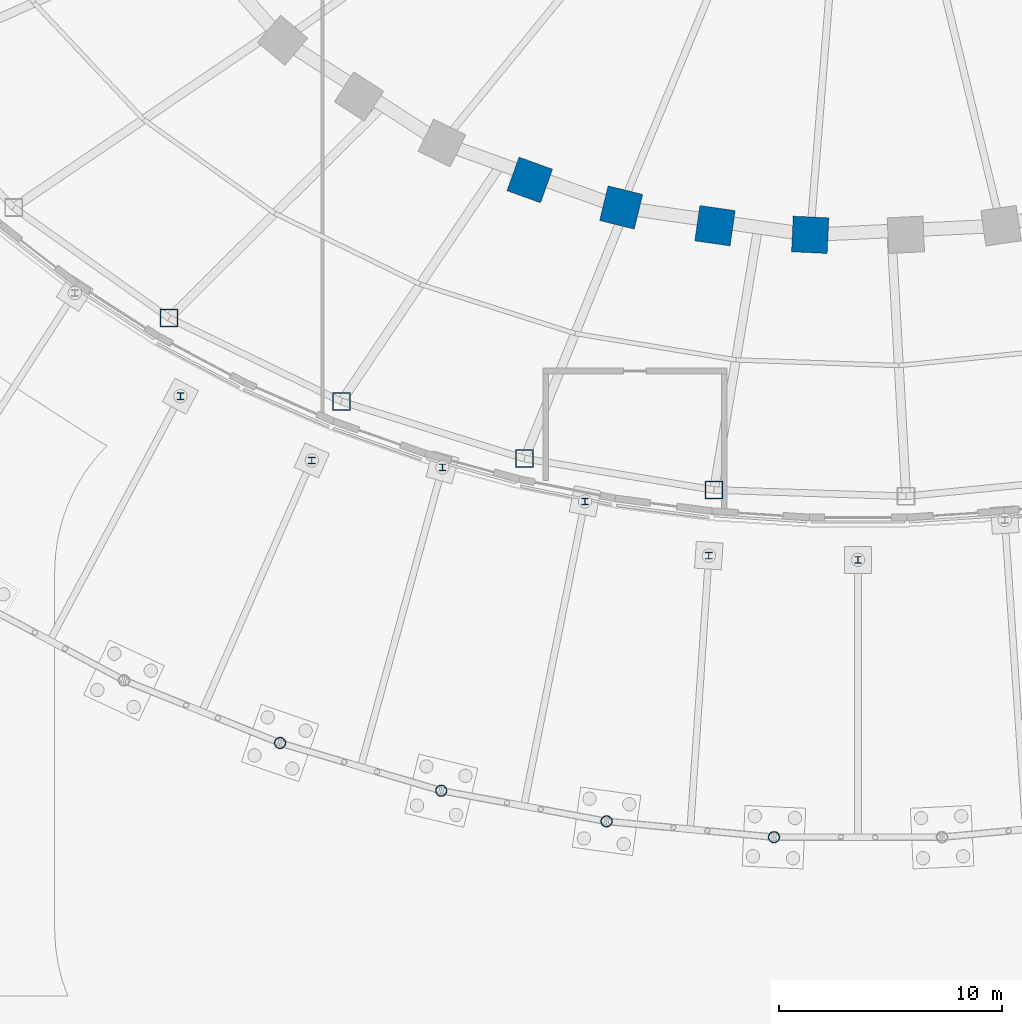
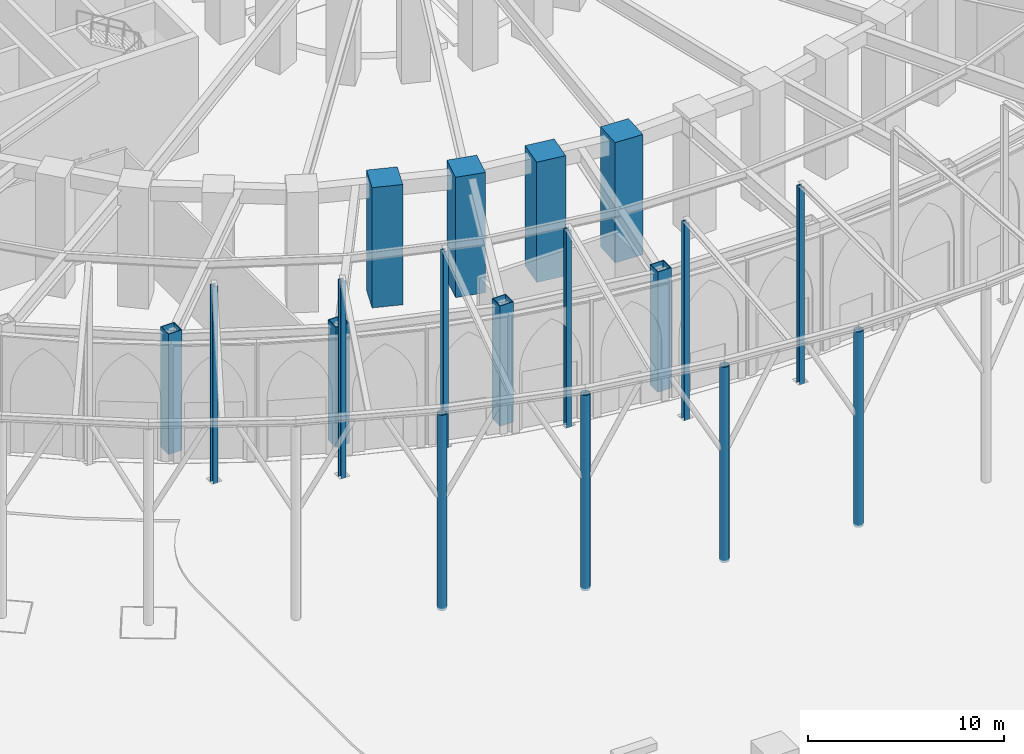
# One storey, part 12 of 79: 18 columns.
"""IFC4 building model written with IfcOpenShell, lengths in metres."""

import ifcopenshell
import ifcopenshell.guid

model = None  # the IFC model being written
_history = None  # IfcOwnerHistory: only IFC2X3 demands one
_inside = {}  # id of a spatial element -> (the spatial element, [elements in it])
_under = {}  # id of a project, library or spatial element -> (it, [spatial elements below it])
_declared = {}  # id of a project -> (the project, [libraries it declares])
_typed = {}  # id of a type object -> (the type object, [elements of that type])
_made_of = {}  # id of a material, layer set ... -> (it, [elements and type objects made of it])


def new_model(schema):
    """Start an empty IFC model of exactly this schema.

    Asked for "IFC4X3", IfcOpenShell would pick the latest addendum, in which some entities
    have other attributes; the version numbers below select the first issue.
    IFC2X3 requires an IfcOwnerHistory on every rooted entity: one is made here for all.
    """
    global model, _history
    if schema == "IFC4X3":
        model = ifcopenshell.file(schema_version=(4, 3, 0, 0))
    else:
        model = ifcopenshell.file(schema=schema)
    _inside.clear()
    _under.clear()
    _declared.clear()
    _typed.clear()
    _made_of.clear()
    _history = None
    if model.schema == "IFC2X3":
        org = make("IfcOrganization", Name="unknown")
        user = make(
            "IfcPersonAndOrganization",
            ThePerson=make("IfcPerson", FamilyName="unknown"),
            TheOrganization=org,
        )
        app = make(
            "IfcApplication",
            ApplicationDeveloper=org,
            Version="unknown",
            ApplicationFullName="unknown",
            ApplicationIdentifier="unknown",
        )
        _history = make(
            "IfcOwnerHistory",
            OwningUser=user,
            OwningApplication=app,
            ChangeAction="ADDED",
            CreationDate=0,
        )
    return model


def make(cls, **values):
    """One entity of the class cls with the attributes given. An attribute that is None is left unset."""
    return model.create_entity(
        cls, **{name: value for name, value in values.items() if value is not None}
    )


def rooted(cls, **values):
    """An entity with a GlobalId (a new one), such as an element, a storey or a relation."""
    return make(cls, GlobalId=ifcopenshell.guid.new(), OwnerHistory=_history, **values)


def si_unit(unit_type, name, prefix=None):
    """IfcSIUnit, for example si_unit("LENGTHUNIT", "METRE", prefix="MILLI")."""
    return make("IfcSIUnit", UnitType=unit_type, Prefix=prefix, Name=name)


def assignment(units):
    """IfcUnitAssignment: the units of a project."""
    return None if units is None else make("IfcUnitAssignment", Units=units)


def point(xyz):
    """IfcCartesianPoint."""
    return None if xyz is None else make("IfcCartesianPoint", Coordinates=xyz)


def direction(xyz):
    """IfcDirection."""
    return None if xyz is None else make("IfcDirection", DirectionRatios=xyz)


def frame(location, z_axis=None, x_axis=None):
    """IfcAxis2Placement3D, a coordinate frame: its origin and axes. An axis left out is left unset."""
    return make(
        "IfcAxis2Placement3D",
        Location=point(location),
        Axis=direction(z_axis),
        RefDirection=direction(x_axis),
    )


def frame_2d(location, x_axis=None):
    """IfcAxis2Placement2D, a coordinate frame in the plane: its origin and x axis."""
    return make(
        "IfcAxis2Placement2D", Location=point(location), RefDirection=direction(x_axis)
    )


def origin():
    """The frame at (0, 0, 0) with its axes left unset."""
    return frame((0.0, 0.0, 0.0))


def origin_2d():
    """The frame at (0, 0) in the plane with its x axis left unset."""
    return frame_2d((0.0, 0.0))


def place(relative_to, where):
    """IfcLocalPlacement: puts the frame where relative to a parent placement (None: the world)."""
    return make(
        "IfcLocalPlacement", PlacementRelTo=relative_to, RelativePlacement=where
    )


def context(
    kind, dimensions, precision=None, world=None, true_north=None, identifier=None
):
    """IfcGeometricRepresentationContext, for example the 3D "Model" context."""
    return make(
        "IfcGeometricRepresentationContext",
        ContextIdentifier=identifier,
        ContextType=kind,
        CoordinateSpaceDimension=dimensions,
        Precision=precision,
        WorldCoordinateSystem=world,
        TrueNorth=true_north,
    )


def subcontext(parent, identifier, kind, view, scale=None):
    """IfcGeometricRepresentationSubContext, for example "Body" below "Model"."""
    return make(
        "IfcGeometricRepresentationSubContext",
        ContextIdentifier=identifier,
        ContextType=kind,
        ParentContext=parent,
        TargetScale=scale,
        TargetView=view,
    )


def project(units=None, contexts=None):
    """IfcProject with its units and contexts."""
    return rooted(
        "IfcProject",
        Name="project",
        RepresentationContexts=contexts,
        UnitsInContext=assignment(units),
    )


def spatial(cls, under=None, at=None, **own):
    """A site, building, storey or space (cls), placed at a placement, below another one or the project."""
    s = rooted(cls, ObjectPlacement=at, **own)
    if under is not None:
        _under.setdefault(under.id(), (under, []))[1].append(s)
    return s


def profile(cls, at=None, kind="AREA", **sizes):
    """A parametric profile (cls). Its sizes go by their IFC names, for example OverallWidth=200.0."""
    return make(cls, ProfileType=kind, Position=at, **sizes)


def rectangle(**sizes):
    """IfcRectangleProfileDef."""
    return profile("IfcRectangleProfileDef", **sizes)


def hollow_rectangle(**sizes):
    """IfcRectangleHollowProfileDef."""
    return profile("IfcRectangleHollowProfileDef", **sizes)


def hollow_circle(**sizes):
    """IfcCircleHollowProfileDef."""
    return profile("IfcCircleHollowProfileDef", **sizes)


def i_section(**sizes):
    """IfcIShapeProfileDef."""
    return profile("IfcIShapeProfileDef", **sizes)


def extrude(swept, where, along, depth):
    """IfcExtrudedAreaSolid: the profile swept, set in the frame where, extruded along a direction by depth."""
    return make(
        "IfcExtrudedAreaSolid",
        SweptArea=swept,
        Position=where,
        ExtrudedDirection=direction(along),
        Depth=depth,
    )


def shape(context_of_items, identifier, shape_type, items):
    """IfcShapeRepresentation: the items that make up one representation, for example the "Body"."""
    return make(
        "IfcShapeRepresentation",
        ContextOfItems=context_of_items,
        RepresentationIdentifier=identifier,
        RepresentationType=shape_type,
        Items=items,
    )


def material(Name=None, Category=None):
    """IfcMaterial."""
    return make("IfcMaterial", Name=Name, Category=Category)


def material_profile(
    of_material, cross_section, Name=None, Category=None, Priority=None
):
    """IfcMaterialProfile: a cross section and its material."""
    return make(
        "IfcMaterialProfile",
        Name=Name,
        Material=of_material,
        Profile=cross_section,
        Priority=Priority,
        Category=Category,
    )


def profile_set(profiles, Name=None, composite=None):
    """IfcMaterialProfileSet."""
    return make(
        "IfcMaterialProfileSet",
        Name=Name,
        MaterialProfiles=profiles,
        CompositeProfile=composite,
    )


def made_of(thing, what):
    """Note that an element or type object is made of a material, layer set ...; save() writes the relation."""
    if what is not None:
        _made_of.setdefault(what.id(), (what, []))[1].append(thing)
    return thing


def type_object(cls, material=None, **own):
    """A type object (cls), such as IfcWallType, which elements share."""
    return made_of(rooted(cls, **own), material)


def element(
    cls,
    number,
    at=None,
    inside=None,
    cuts=None,
    type_object=None,
    material=None,
    context=None,
    identifier="Body",
    shape_type=None,
    held_by="IfcProductDefinitionShape",
    body=None,
    shapes=None,
    **own,
):
    """One element of the class cls, such as IfcWall. Its Tag is "e" and its number.

    at: its placement. inside: the storey or other place that contains it. cuts: it is an
    opening in that element (IfcRelVoidsElement). A single representation is given by context,
    identifier, shape_type and body (its items); several are given by shapes. held_by: the class
    of the entity that holds the representations. save() writes the other relations.
    """
    e = rooted(cls, Tag="e%d" % number, ObjectPlacement=at, **own)
    if body is not None:
        shapes = [shape(context, identifier, shape_type, body)]
    if shapes is not None:
        e.Representation = make(held_by, Representations=shapes)
    if inside is not None:
        _inside.setdefault(inside.id(), (inside, []))[1].append(e)
    if cuts is not None:
        rooted(
            "IfcRelVoidsElement", RelatingBuildingElement=cuts, RelatedOpeningElement=e
        )
    if type_object is not None:
        _typed.setdefault(type_object.id(), (type_object, []))[1].append(e)
    return made_of(e, material)


def aggregate(whole, parts):
    """IfcRelAggregates: a whole, such as a stair, and the parts it consists of."""
    return rooted("IfcRelAggregates", RelatingObject=whole, RelatedObjects=parts)


def save(model, path):
    """Write the relations noted so far, then the file.

    IfcRelAggregates (storeys below a building ...), IfcRelContainedInSpatialStructure (elements
    in a storey), IfcRelDefinesByType, IfcRelAssociatesMaterial and IfcRelDeclares: one each for
    every whole, place, type object, material and project.
    """
    for whole, parts in _under.values():
        aggregate(whole, parts)
    for where, things in _inside.values():
        rooted(
            "IfcRelContainedInSpatialStructure",
            RelatedElements=things,
            RelatingStructure=where,
        )
    for kind, things in _typed.values():
        rooted("IfcRelDefinesByType", RelatedObjects=things, RelatingType=kind)
    for what, things in _made_of.values():
        rooted("IfcRelAssociatesMaterial", RelatedObjects=things, RelatingMaterial=what)
    for by, libraries in _declared.values():
        rooted("IfcRelDeclares", RelatingContext=by, RelatedDefinitions=libraries)
    model.write(path)


model = new_model("IFC4")

# Units and contexts
model_context = context("Model", 3, precision=1e-05, world=origin(), true_north=direction((0.0, 1.0)))
body_context = subcontext(model_context, "Body", "Model", "MODEL_VIEW")
ifc_project = project(units=[si_unit("LENGTHUNIT", "METRE"), si_unit("AREAUNIT", "SQUARE_METRE"), si_unit("VOLUMEUNIT", "CUBIC_METRE"), si_unit("PLANEANGLEUNIT", "RADIAN"), si_unit("MASSUNIT", "GRAM", prefix="KILO")], contexts=[model_context])

# Site, building, storey
site_placement = place(None, origin())
site = spatial("IfcSite", under=ifc_project, at=site_placement, CompositionType="ELEMENT")
building_placement = place(site_placement, origin())
building = spatial("IfcBuilding", under=site, at=building_placement, Name="Noorbagh Ring Tower", CompositionType="ELEMENT")
storey_placement = place(building_placement, origin())
storey = spatial("IfcBuildingStorey", under=building, at=storey_placement, Name="L00", CompositionType="ELEMENT", Elevation=0.0)

# Columns
ifc_material_1 = material(Name="Steel S355", Category="steel")
ifc_material_profile_1 = material_profile(ifc_material_1, hollow_circle(Radius=0.25390625, WallThickness=0.02490234375, at=origin_2d()), Name="CHS508x25")
ifc_profile_set_1 = profile_set([ifc_material_profile_1], Name="Steel S355")
column_type_1 = type_object("IfcColumnType", Name="GND-CANOPY-TRUNK", PredefinedType="COLUMN", material=ifc_profile_set_1)
for number, where, z_axis, x_axis, name in (
    (1, (-25.90087890625, -49.67138671875, -0.14990234375), (0.0, 0.0, 1.0), (1.0, 0.0, 0.0), "Canopy trunk 7"),
    (2, (-18.676513671875, -51.80859375, -0.14990234375), (0.0, 0.0, 1.0), (1.0, 0.0, 0.0), "Canopy trunk 8"),
    (3, (-11.268310546875, -53.18212890625, -0.14990234375), (0.0, 0.0, 1.0), (1.0, 0.0, 0.0), "Canopy trunk 9"),
    (4, (-3.76708984375, -53.8916015625, -0.14990234375), (0.0, 0.0, 1.0), (1.0, 0.0, 0.0), "Canopy trunk 10"),
):
    element("IfcColumn", number, at=place(storey_placement, frame(where, z_axis=z_axis, x_axis=x_axis)), inside=storey, type_object=column_type_1, Name=name, PredefinedType="COLUMN", context=body_context, shape_type="SweptSolid", body=[
        extrude(hollow_circle(Radius=0.25390625, WallThickness=0.02490234375, at=origin_2d()), origin(), (0.0, 0.0, 1.0), 12.199951171875),
    ])
ifc_material_2 = material(Name="Steel S355", Category="steel")
ifc_material_profile_2 = material_profile(ifc_material_2, hollow_rectangle(XDim=0.800048828125, YDim=0.800048828125, WallThickness=0.0400390625, at=origin_2d()), Name="BOX800x800x40")
ifc_profile_set_2 = profile_set([ifc_material_profile_2], Name="Steel S355")
column_type_2 = type_object("IfcColumnType", Name="GND-COL-BOX800x800x40", PredefinedType="COLUMN", material=ifc_profile_set_2)
for number, where, z_axis, x_axis, name in (
    (5, (-30.869384765625, -30.629150390625, 0.0), (0.0, 0.0, 1.0), (1.0, 0.0, 0.0), "L00/col/RP-22"),
    (6, (-23.152587890625, -34.36767578125, 0.0), (0.0, 0.0, 1.0), (1.0, 0.0, 0.0), "L00/col/RP-23"),
    (7, (-14.946044921875, -36.925048828125, 0.0), (0.0, 0.0, 1.0), (1.0, 0.0, 0.0), "L00/col/RP-24"),
    (8, (-6.4541015625, -38.33349609375, 0.0), (0.0, 0.0, 1.0), (1.0, 0.0, 0.0), "L00/col/RP-25"),
):
    element("IfcColumn", number, at=place(storey_placement, frame(where, z_axis=z_axis, x_axis=x_axis)), inside=storey, type_object=column_type_2, Name=name, PredefinedType="COLUMN", context=body_context, shape_type="SweptSolid", body=[
        extrude(hollow_rectangle(XDim=0.800048828125, YDim=0.800048828125, WallThickness=0.0400390625, at=origin_2d()), origin(), (0.0, 0.0, 1.0), 7.5),
    ])
ifc_material_3 = material(Name="Steel S355", Category="steel")
ifc_material_profile_3 = material_profile(ifc_material_3, i_section(OverallWidth=0.300048828125, OverallDepth=0.300048828125, WebThickness=0.010986328125, FlangeThickness=0.01904296875, FilletRadius=0.027099609375, at=origin_2d()), Name="HEB300")
ifc_profile_set_3 = profile_set([ifc_material_profile_3], Name="Steel S355")
column_type_3 = type_object("IfcColumnType", Name="GND-LINK-POST", PredefinedType="COLUMN", material=ifc_profile_set_3)
for number, where, z_axis, x_axis, name in (
    (9, (-30.3642578125, -34.12939453125, -0.14990234375), (0.0, 0.0, 1.0), (1.0, 0.0, 0.0), "Canopy link post 5"),
    (10, (-24.47607421875, -37.008544921875, -0.14990234375), (0.0, 0.0, 1.0), (1.0, 0.0, 0.0), "Canopy link post 6"),
    (11, (-18.62451171875, -37.320068359375, -0.14990234375), (0.0, 0.0, 1.0), (1.0, 0.0, 0.0), "Canopy link post 7"),
    (12, (-12.23583984375, -38.84521484375, -0.14990234375), (0.0, 0.0, 1.0), (1.0, 0.0, 0.0), "Canopy link post 8"),
    (13, (-6.686767578125, -41.274658203125, -0.14990234375), (0.0, 0.0, 1.0), (1.0, 0.0, 0.0), "Canopy link post 9"),
    (14, (0.0, -41.464111328125, -0.14990234375), (0.0, 0.0, 1.0), (1.0, 0.0, 0.0), "Canopy link post 10"),
):
    element("IfcColumn", number, at=place(storey_placement, frame(where, z_axis=z_axis, x_axis=x_axis)), inside=storey, type_object=column_type_3, Name=name, PredefinedType="COLUMN", context=body_context, shape_type="SweptSolid", body=[
        extrude(i_section(OverallWidth=0.300048828125, OverallDepth=0.300048828125, WebThickness=0.010986328125, FlangeThickness=0.01904296875, FilletRadius=0.027099609375, at=origin_2d()), origin(), (0.0, 0.0, 1.0), 12.2998046875),
    ])
ifc_material_4 = material(Name="Concrete C70/85", Category="concrete")
ifc_material_profile_4 = material_profile(ifc_material_4, rectangle(XDim=1.60009765625, YDim=1.60009765625, at=origin_2d()), Name="RC1600x1600")
ifc_profile_set_4 = profile_set([ifc_material_profile_4], Name="Concrete C70/85")
column_type_4 = type_object("IfcColumnType", Name="STR-COL-RC1600x1600-C70-85", PredefinedType="COLUMN", material=ifc_profile_set_4)
for number, where, z_axis, x_axis, name in (
    (15, (-14.70947265625, -24.44091796875, 0.0), (0.0, 0.0, 1.0), (0.941024726094, -0.338337797003, 0.0), "L00/col/R1-32"),
    (16, (-10.61328125, -25.673583984375, 0.0), (0.0, 0.0, 1.0), (0.970829360981, -0.239771457553, 0.0), "L00/col/R1-33"),
    (17, (-6.4091796875, -26.49072265625, 0.0), (0.0, 0.0, 1.0), (0.989713114048, -0.143066249975, 0.0), "L00/col/R1-34"),
    (18, (-2.14306640625, -26.89794921875, 0.0), (0.0, 0.0, 1.0), (0.998868731212, -0.047552684538, 0.0), "L00/col/R1-35"),
):
    element("IfcColumn", number, at=place(storey_placement, frame(where, z_axis=z_axis, x_axis=x_axis)), inside=storey, type_object=column_type_4, Name=name, PredefinedType="COLUMN", context=body_context, shape_type="SweptSolid", body=[
        extrude(rectangle(XDim=1.60009765625, YDim=1.60009765625, at=origin_2d()), origin(), (0.0, 0.0, 1.0), 7.5),
    ])

save(model, "model.ifc")
